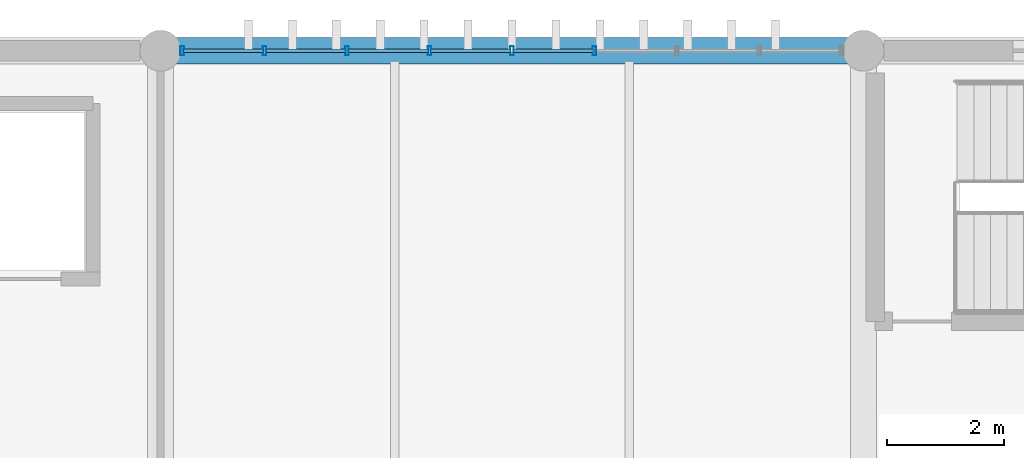
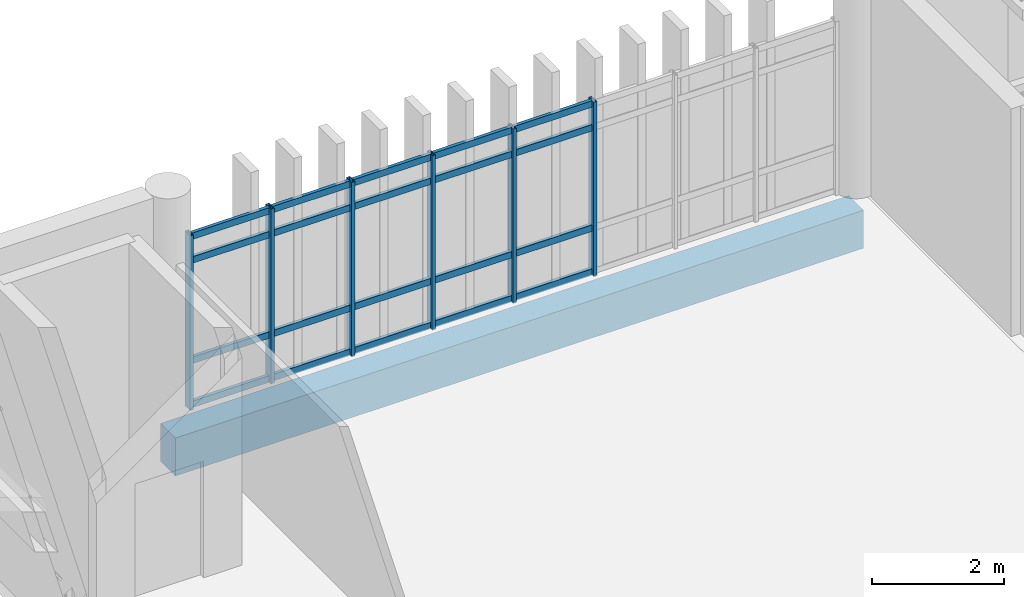
# One storey, part 13 of 29: 26 members, 1 beam, 1 element without a shape of its own.
"""IFC4 building model written with IfcOpenShell, lengths in metres."""

from ifc_helpers import new_model, si_unit, direction, frame, origin, origin_2d, place, context, subcontext, project, spatial, rectangle, hollow_rectangle, extrude, material, layer, layer_set, material_profile, profile_set, type_object, element, aggregate, save


model = new_model("IFC4")

# Units and contexts
model_context = context("Model", 3, precision=1e-05, world=origin(), true_north=direction((0.0, 1.0)))
body_context = subcontext(model_context, "Body", "Model", "MODEL_VIEW")
ifc_project = project(units=[si_unit("LENGTHUNIT", "METRE"), si_unit("AREAUNIT", "SQUARE_METRE"), si_unit("VOLUMEUNIT", "CUBIC_METRE"), si_unit("PLANEANGLEUNIT", "RADIAN"), si_unit("MASSUNIT", "GRAM", prefix="KILO")], contexts=[model_context])

# Site, building, storey
site_placement = place(None, origin())
site = spatial("IfcSite", under=ifc_project, at=site_placement, CompositionType="ELEMENT")
building_placement = place(site_placement, origin())
building = spatial("IfcBuilding", under=site, at=building_placement, Name="Mersad Railyard Sports Hall", CompositionType="ELEMENT")
storey_placement = place(building_placement, frame((0.0, 0.0, 17.39990234375)))
storey = spatial("IfcBuildingStorey", under=building, at=storey_placement, Name="L04", CompositionType="ELEMENT", Elevation=17.39990234375)

# Curtain wall, members
ifc_material_1 = material(Name="Aluminium 6063-T6", Category="aluminium")
ifc_layer = layer(ifc_material_1, 0.159912109375)
ifc_layer_set = layer_set([ifc_layer], Name="Aluminium 6063-T6")
curtain_wall_type = type_object("IfcCurtainWallType", Name="ARC-CW-CW62", PredefinedType="USERDEFINED", material=ifc_layer_set)
curtain_wall_placement = place(storey_placement, origin())
curtain_wall = element("IfcCurtainWall", 1, at=curtain_wall_placement, inside=storey, type_object=curtain_wall_type, Name="Curtain wall CW62-0163", ObjectType="CURTAIN WALL", PredefinedType="USERDEFINED")
ifc_material_profile_1 = material_profile(ifc_material_1, hollow_rectangle(XDim=0.06005859375, YDim=0.159912109375, WallThickness=0.00390625, at=origin_2d()), Name="AL MULLION 60x160x4")
ifc_profile_set_1 = profile_set([ifc_material_profile_1], Name="Aluminium 6063-T6")
member_type_1 = type_object("IfcMemberType", Name="ARC-CW-MUL01", PredefinedType="MULLION", material=ifc_profile_set_1)
member_1_placement = place(storey_placement, frame((79.3701171875, 115.0, -0.02001953125), z_axis=(0.0, 0.0, 1.0), x_axis=(1.0, 0.0, 0.0)))
member_1 = element("IfcMember", 2, at=member_1_placement, type_object=member_type_1, Name="CW62 Mullion 1", PredefinedType="MULLION", context=body_context, shape_type="SweptSolid", body=[
    extrude(hollow_rectangle(XDim=0.06005859375, YDim=0.159912109375, WallThickness=0.00390625, at=origin_2d()), origin(), (0.0, 0.0, 1.0), 3.22021484375),
])
member_2_placement = place(storey_placement, frame((80.777587890625, 115.0, -0.02001953125), z_axis=(0.0, 0.0, 1.0), x_axis=(1.0, 0.0, 0.0)))
member_2 = element("IfcMember", 3, at=member_2_placement, type_object=member_type_1, Name="CW62 Mullion 2", PredefinedType="MULLION", context=body_context, shape_type="SweptSolid", body=[
    extrude(hollow_rectangle(XDim=0.06005859375, YDim=0.159912109375, WallThickness=0.00390625, at=origin_2d()), origin(), (0.0, 0.0, 1.0), 3.22021484375),
])
member_3_placement = place(storey_placement, frame((82.18505859375, 115.0, -0.02001953125), z_axis=(0.0, 0.0, 1.0), x_axis=(1.0, 0.0, 0.0)))
member_3 = element("IfcMember", 4, at=member_3_placement, type_object=member_type_1, Name="CW62 Mullion 3", PredefinedType="MULLION", context=body_context, shape_type="SweptSolid", body=[
    extrude(hollow_rectangle(XDim=0.06005859375, YDim=0.159912109375, WallThickness=0.00390625, at=origin_2d()), origin(), (0.0, 0.0, 1.0), 3.22021484375),
])
member_4_placement = place(storey_placement, frame((83.592529296875, 115.0, -0.02001953125), z_axis=(0.0, 0.0, 1.0), x_axis=(1.0, 0.0, 0.0)))
member_4 = element("IfcMember", 5, at=member_4_placement, type_object=member_type_1, Name="CW62 Mullion 4", PredefinedType="MULLION", context=body_context, shape_type="SweptSolid", body=[
    extrude(hollow_rectangle(XDim=0.06005859375, YDim=0.159912109375, WallThickness=0.00390625, at=origin_2d()), origin(), (0.0, 0.0, 1.0), 3.22021484375),
])
member_5_placement = place(storey_placement, frame((85.0, 115.0, -0.02001953125), z_axis=(0.0, 0.0, 1.0), x_axis=(1.0, 0.0, 0.0)))
member_5 = element("IfcMember", 6, at=member_5_placement, type_object=member_type_1, Name="CW62 Mullion 5", PredefinedType="MULLION", context=body_context, shape_type="SweptSolid", body=[
    extrude(hollow_rectangle(XDim=0.06005859375, YDim=0.159912109375, WallThickness=0.00390625, at=origin_2d()), origin(), (0.0, 0.0, 1.0), 3.22021484375),
])
member_6_placement = place(storey_placement, frame((86.407470703125, 115.0, -0.02001953125), z_axis=(0.0, 0.0, 1.0), x_axis=(1.0, 0.0, 0.0)))
member_6 = element("IfcMember", 7, at=member_6_placement, type_object=member_type_1, Name="CW62 Mullion 6", PredefinedType="MULLION", context=body_context, shape_type="SweptSolid", body=[
    extrude(hollow_rectangle(XDim=0.06005859375, YDim=0.159912109375, WallThickness=0.00390625, at=origin_2d()), origin(), (0.0, 0.0, 1.0), 3.22021484375),
])
ifc_material_profile_2 = material_profile(ifc_material_1, hollow_rectangle(XDim=0.06005859375, YDim=0.1201171875, WallThickness=0.00390625, at=origin_2d()), Name="AL TRANSOM 60x120x4")
ifc_profile_set_2 = profile_set([ifc_material_profile_2], Name="Aluminium 6063-T6")
member_type_2 = type_object("IfcMemberType", Name="ARC-CW-TRN01", PredefinedType="USERDEFINED", material=ifc_profile_set_2)
member_7_placement = place(storey_placement, frame((79.389892578125, 115.0, 0.0400390625), z_axis=(1.0, 0.0, 0.0), x_axis=(0.0, 1.0, 0.0)))
member_7 = element("IfcMember", 8, at=member_7_placement, type_object=member_type_2, Name="CW62 Transom 1-1", ObjectType="TRANSOM", PredefinedType="USERDEFINED", context=body_context, shape_type="SweptSolid", body=[
    extrude(hollow_rectangle(XDim=0.06005859375, YDim=0.1201171875, WallThickness=0.00390625, at=origin_2d()), origin(), (0.0, 0.0, 1.0), 1.36767578125),
])
member_8_placement = place(storey_placement, frame((80.797607421875, 115.0, 0.0400390625), z_axis=(1.0, 0.0, 0.0), x_axis=(0.0, 1.0, 0.0)))
member_8 = element("IfcMember", 9, at=member_8_placement, type_object=member_type_2, Name="CW62 Transom 1-2", ObjectType="TRANSOM", PredefinedType="USERDEFINED", context=body_context, shape_type="SweptSolid", body=[
    extrude(hollow_rectangle(XDim=0.06005859375, YDim=0.1201171875, WallThickness=0.00390625, at=origin_2d()), origin(), (0.0, 0.0, 1.0), 1.367431640625),
])
member_9_placement = place(storey_placement, frame((82.205078125, 115.0, 0.0400390625), z_axis=(1.0, 0.0, 0.0), x_axis=(0.0, 1.0, 0.0)))
member_9 = element("IfcMember", 10, at=member_9_placement, type_object=member_type_2, Name="CW62 Transom 1-3", ObjectType="TRANSOM", PredefinedType="USERDEFINED", context=body_context, shape_type="SweptSolid", body=[
    extrude(hollow_rectangle(XDim=0.06005859375, YDim=0.1201171875, WallThickness=0.00390625, at=origin_2d()), origin(), (0.0, 0.0, 1.0), 1.367431640625),
])
member_10_placement = place(storey_placement, frame((83.612548828125, 115.0, 0.0400390625), z_axis=(1.0, 0.0, 0.0), x_axis=(0.0, 1.0, 0.0)))
member_10 = element("IfcMember", 11, at=member_10_placement, type_object=member_type_2, Name="CW62 Transom 1-4", ObjectType="TRANSOM", PredefinedType="USERDEFINED", context=body_context, shape_type="SweptSolid", body=[
    extrude(hollow_rectangle(XDim=0.06005859375, YDim=0.1201171875, WallThickness=0.00390625, at=origin_2d()), origin(), (0.0, 0.0, 1.0), 1.367431640625),
])
member_11_placement = place(storey_placement, frame((85.02001953125, 115.0, 0.0400390625), z_axis=(1.0, 0.0, 0.0), x_axis=(0.0, 1.0, 0.0)))
member_11 = element("IfcMember", 12, at=member_11_placement, type_object=member_type_2, Name="CW62 Transom 1-5", ObjectType="TRANSOM", PredefinedType="USERDEFINED", context=body_context, shape_type="SweptSolid", body=[
    extrude(hollow_rectangle(XDim=0.06005859375, YDim=0.1201171875, WallThickness=0.00390625, at=origin_2d()), origin(), (0.0, 0.0, 1.0), 1.367431640625),
])
member_12_placement = place(storey_placement, frame((79.389892578125, 115.0, 0.85009765625), z_axis=(1.0, 0.0, 0.0), x_axis=(0.0, 1.0, 0.0)))
member_12 = element("IfcMember", 13, at=member_12_placement, type_object=member_type_2, Name="CW62 Transom 2-1", ObjectType="TRANSOM", PredefinedType="USERDEFINED", context=body_context, shape_type="SweptSolid", body=[
    extrude(hollow_rectangle(XDim=0.06005859375, YDim=0.1201171875, WallThickness=0.00390625, at=origin_2d()), origin(), (0.0, 0.0, 1.0), 1.36767578125),
])
member_13_placement = place(storey_placement, frame((80.797607421875, 115.0, 0.85009765625), z_axis=(1.0, 0.0, 0.0), x_axis=(0.0, 1.0, 0.0)))
member_13 = element("IfcMember", 14, at=member_13_placement, type_object=member_type_2, Name="CW62 Transom 2-2", ObjectType="TRANSOM", PredefinedType="USERDEFINED", context=body_context, shape_type="SweptSolid", body=[
    extrude(hollow_rectangle(XDim=0.06005859375, YDim=0.1201171875, WallThickness=0.00390625, at=origin_2d()), origin(), (0.0, 0.0, 1.0), 1.367431640625),
])
member_14_placement = place(storey_placement, frame((82.205078125, 115.0, 0.85009765625), z_axis=(1.0, 0.0, 0.0), x_axis=(0.0, 1.0, 0.0)))
member_14 = element("IfcMember", 15, at=member_14_placement, type_object=member_type_2, Name="CW62 Transom 2-3", ObjectType="TRANSOM", PredefinedType="USERDEFINED", context=body_context, shape_type="SweptSolid", body=[
    extrude(hollow_rectangle(XDim=0.06005859375, YDim=0.1201171875, WallThickness=0.00390625, at=origin_2d()), origin(), (0.0, 0.0, 1.0), 1.367431640625),
])
member_15_placement = place(storey_placement, frame((83.612548828125, 115.0, 0.85009765625), z_axis=(1.0, 0.0, 0.0), x_axis=(0.0, 1.0, 0.0)))
member_15 = element("IfcMember", 16, at=member_15_placement, type_object=member_type_2, Name="CW62 Transom 2-4", ObjectType="TRANSOM", PredefinedType="USERDEFINED", context=body_context, shape_type="SweptSolid", body=[
    extrude(hollow_rectangle(XDim=0.06005859375, YDim=0.1201171875, WallThickness=0.00390625, at=origin_2d()), origin(), (0.0, 0.0, 1.0), 1.367431640625),
])
member_16_placement = place(storey_placement, frame((85.02001953125, 115.0, 0.85009765625), z_axis=(1.0, 0.0, 0.0), x_axis=(0.0, 1.0, 0.0)))
member_16 = element("IfcMember", 17, at=member_16_placement, type_object=member_type_2, Name="CW62 Transom 2-5", ObjectType="TRANSOM", PredefinedType="USERDEFINED", context=body_context, shape_type="SweptSolid", body=[
    extrude(hollow_rectangle(XDim=0.06005859375, YDim=0.1201171875, WallThickness=0.00390625, at=origin_2d()), origin(), (0.0, 0.0, 1.0), 1.367431640625),
])
member_17_placement = place(storey_placement, frame((79.389892578125, 115.0, 2.7001953125), z_axis=(1.0, 0.0, 0.0), x_axis=(0.0, 1.0, 0.0)))
member_17 = element("IfcMember", 18, at=member_17_placement, type_object=member_type_2, Name="CW62 Transom 3-1", ObjectType="TRANSOM", PredefinedType="USERDEFINED", context=body_context, shape_type="SweptSolid", body=[
    extrude(hollow_rectangle(XDim=0.06005859375, YDim=0.1201171875, WallThickness=0.00390625, at=origin_2d()), origin(), (0.0, 0.0, 1.0), 1.36767578125),
])
member_18_placement = place(storey_placement, frame((80.797607421875, 115.0, 2.7001953125), z_axis=(1.0, 0.0, 0.0), x_axis=(0.0, 1.0, 0.0)))
member_18 = element("IfcMember", 19, at=member_18_placement, type_object=member_type_2, Name="CW62 Transom 3-2", ObjectType="TRANSOM", PredefinedType="USERDEFINED", context=body_context, shape_type="SweptSolid", body=[
    extrude(hollow_rectangle(XDim=0.06005859375, YDim=0.1201171875, WallThickness=0.00390625, at=origin_2d()), origin(), (0.0, 0.0, 1.0), 1.367431640625),
])
member_19_placement = place(storey_placement, frame((82.205078125, 115.0, 2.7001953125), z_axis=(1.0, 0.0, 0.0), x_axis=(0.0, 1.0, 0.0)))
member_19 = element("IfcMember", 20, at=member_19_placement, type_object=member_type_2, Name="CW62 Transom 3-3", ObjectType="TRANSOM", PredefinedType="USERDEFINED", context=body_context, shape_type="SweptSolid", body=[
    extrude(hollow_rectangle(XDim=0.06005859375, YDim=0.1201171875, WallThickness=0.00390625, at=origin_2d()), origin(), (0.0, 0.0, 1.0), 1.367431640625),
])
member_20_placement = place(storey_placement, frame((83.612548828125, 115.0, 2.7001953125), z_axis=(1.0, 0.0, 0.0), x_axis=(0.0, 1.0, 0.0)))
member_20 = element("IfcMember", 21, at=member_20_placement, type_object=member_type_2, Name="CW62 Transom 3-4", ObjectType="TRANSOM", PredefinedType="USERDEFINED", context=body_context, shape_type="SweptSolid", body=[
    extrude(hollow_rectangle(XDim=0.06005859375, YDim=0.1201171875, WallThickness=0.00390625, at=origin_2d()), origin(), (0.0, 0.0, 1.0), 1.367431640625),
])
member_21_placement = place(storey_placement, frame((85.02001953125, 115.0, 2.7001953125), z_axis=(1.0, 0.0, 0.0), x_axis=(0.0, 1.0, 0.0)))
member_21 = element("IfcMember", 22, at=member_21_placement, type_object=member_type_2, Name="CW62 Transom 3-5", ObjectType="TRANSOM", PredefinedType="USERDEFINED", context=body_context, shape_type="SweptSolid", body=[
    extrude(hollow_rectangle(XDim=0.06005859375, YDim=0.1201171875, WallThickness=0.00390625, at=origin_2d()), origin(), (0.0, 0.0, 1.0), 1.367431640625),
])
member_22_placement = place(storey_placement, frame((79.389892578125, 115.0, 3.14013671875), z_axis=(1.0, 0.0, 0.0), x_axis=(0.0, 1.0, 0.0)))
member_22 = element("IfcMember", 23, at=member_22_placement, type_object=member_type_2, Name="CW62 Transom 4-1", ObjectType="TRANSOM", PredefinedType="USERDEFINED", context=body_context, shape_type="SweptSolid", body=[
    extrude(hollow_rectangle(XDim=0.06005859375, YDim=0.1201171875, WallThickness=0.00390625, at=origin_2d()), origin(), (0.0, 0.0, 1.0), 1.36767578125),
])
member_23_placement = place(storey_placement, frame((80.797607421875, 115.0, 3.14013671875), z_axis=(1.0, 0.0, 0.0), x_axis=(0.0, 1.0, 0.0)))
member_23 = element("IfcMember", 24, at=member_23_placement, type_object=member_type_2, Name="CW62 Transom 4-2", ObjectType="TRANSOM", PredefinedType="USERDEFINED", context=body_context, shape_type="SweptSolid", body=[
    extrude(hollow_rectangle(XDim=0.06005859375, YDim=0.1201171875, WallThickness=0.00390625, at=origin_2d()), origin(), (0.0, 0.0, 1.0), 1.367431640625),
])
member_24_placement = place(storey_placement, frame((82.205078125, 115.0, 3.14013671875), z_axis=(1.0, 0.0, 0.0), x_axis=(0.0, 1.0, 0.0)))
member_24 = element("IfcMember", 25, at=member_24_placement, type_object=member_type_2, Name="CW62 Transom 4-3", ObjectType="TRANSOM", PredefinedType="USERDEFINED", context=body_context, shape_type="SweptSolid", body=[
    extrude(hollow_rectangle(XDim=0.06005859375, YDim=0.1201171875, WallThickness=0.00390625, at=origin_2d()), origin(), (0.0, 0.0, 1.0), 1.367431640625),
])
member_25_placement = place(storey_placement, frame((83.612548828125, 115.0, 3.14013671875), z_axis=(1.0, 0.0, 0.0), x_axis=(0.0, 1.0, 0.0)))
member_25 = element("IfcMember", 26, at=member_25_placement, type_object=member_type_2, Name="CW62 Transom 4-4", ObjectType="TRANSOM", PredefinedType="USERDEFINED", context=body_context, shape_type="SweptSolid", body=[
    extrude(hollow_rectangle(XDim=0.06005859375, YDim=0.1201171875, WallThickness=0.00390625, at=origin_2d()), origin(), (0.0, 0.0, 1.0), 1.367431640625),
])
member_26_placement = place(storey_placement, frame((85.02001953125, 115.0, 3.14013671875), z_axis=(1.0, 0.0, 0.0), x_axis=(0.0, 1.0, 0.0)))
member_26 = element("IfcMember", 27, at=member_26_placement, type_object=member_type_2, Name="CW62 Transom 4-5", ObjectType="TRANSOM", PredefinedType="USERDEFINED", context=body_context, shape_type="SweptSolid", body=[
    extrude(hollow_rectangle(XDim=0.06005859375, YDim=0.1201171875, WallThickness=0.00390625, at=origin_2d()), origin(), (0.0, 0.0, 1.0), 1.367431640625),
])
aggregate(curtain_wall, [member_1, member_2, member_3, member_4, member_5, member_6, member_7, member_8, member_9, member_10, member_11, member_12, member_13, member_14, member_15, member_16, member_17, member_18, member_19, member_20, member_21, member_22, member_23, member_24, member_25, member_26])

# Beam
ifc_material_2 = material(Name="Architectural concrete C40/50", Category="concrete")
ifc_material_profile_3 = material_profile(ifc_material_2, rectangle(XDim=0.449951171875, YDim=0.699951171875, at=origin_2d()), Name="RC 450x700")
ifc_profile_set_3 = profile_set([ifc_material_profile_3], Name="Architectural concrete C40/50")
beam_type = type_object("IfcBeamType", Name="STR-BM-SP01", PredefinedType="SPANDREL", material=ifc_profile_set_3)
beam_placement = place(storey_placement, frame((79.0, 115.0, -0.669921875), z_axis=(1.0, 0.0, 0.0), x_axis=(0.0, 1.0, 0.0)))
element("IfcBeam", 28, at=beam_placement, inside=storey, type_object=beam_type, Name="Beam SP01-1337", PredefinedType="SPANDREL", context=body_context, shape_type="SweptSolid", body=[
    extrude(rectangle(XDim=0.449951171875, YDim=0.699951171875, at=origin_2d()), origin(), (0.0, 0.0, 1.0), 12.0),
])

save(model, "model.ifc")
